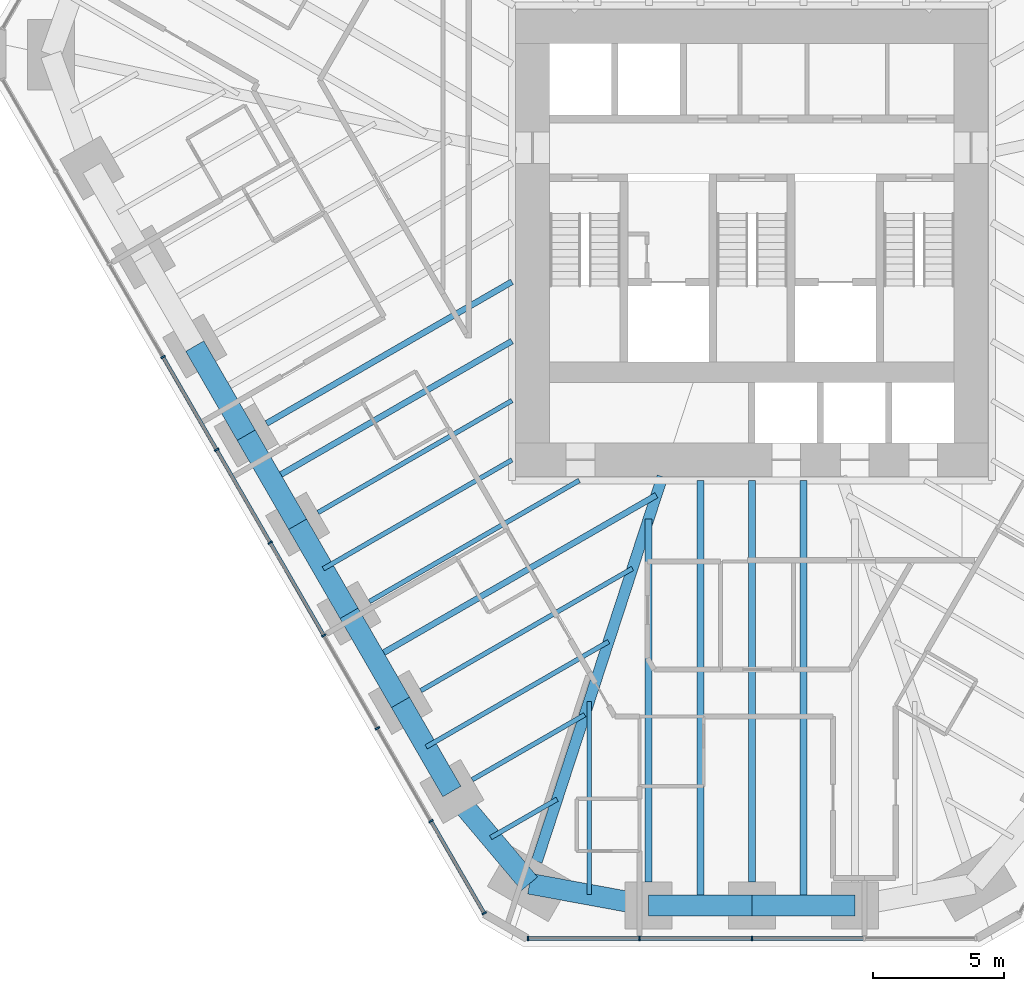
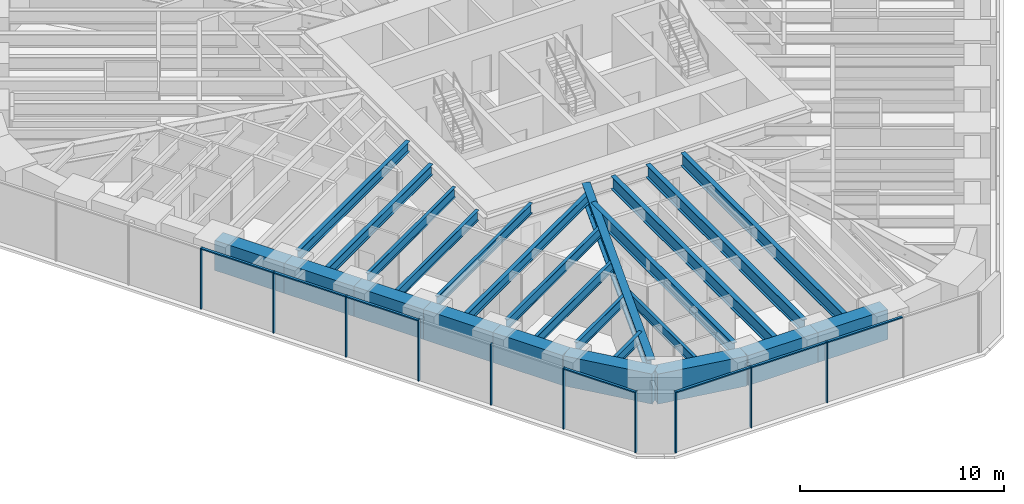
# One storey, part 2 of 16: 25 beams, 17 members, 2 elements without a shape of their own.
"""IFC4 building model written with IfcOpenShell, lengths in metres."""

from ifc_helpers import new_model, si_unit, direction, frame, origin, origin_2d, place, context, subcontext, project, spatial, rectangle, i_section, extrude, material, material_profile, profile_set, type_object, element, aggregate, save


model = new_model("IFC4")

# Units and contexts
model_context = context("Model", 3, precision=1e-05, world=origin(), true_north=direction((0.0, 1.0)))
body_context = subcontext(model_context, "Body", "Model", "MODEL_VIEW")
ifc_project = project(units=[si_unit("LENGTHUNIT", "METRE"), si_unit("AREAUNIT", "SQUARE_METRE"), si_unit("VOLUMEUNIT", "CUBIC_METRE"), si_unit("PLANEANGLEUNIT", "RADIAN"), si_unit("MASSUNIT", "GRAM", prefix="KILO")], contexts=[model_context])

# Site, building, storey
site_placement = place(None, origin())
site = spatial("IfcSite", under=ifc_project, at=site_placement, CompositionType="ELEMENT")
building_placement = place(site_placement, origin())
building = spatial("IfcBuilding", under=site, at=building_placement, Name="Sandreach Pilgrim Tower", CompositionType="ELEMENT")
storey_placement = place(building_placement, frame((0.0, 0.0, 115.800048828125)))
storey = spatial("IfcBuildingStorey", under=building, at=storey_placement, Name="L28", CompositionType="ELEMENT", Elevation=115.800048828125)

# Curtain wall, members
ifc_material_1 = material(Name="Aluminium framed curtain wall", Category="aluminium")
curtain_wall_type = type_object("IfcCurtainWallType", Name="Hotel tower curtain wall", PredefinedType="NOTDEFINED", material=ifc_material_1)
curtain_wall_1_placement = place(storey_placement, origin())
curtain_wall_1 = element("IfcCurtainWall", 1, at=curtain_wall_1_placement, inside=storey, type_object=curtain_wall_type, Name="CW-2 L28 S", PredefinedType="NOTDEFINED")
ifc_material_2 = material(Name="Aluminium extrusion", Category="aluminium")
ifc_material_profile_1 = material_profile(ifc_material_2, rectangle(XDim=0.06494140625, YDim=0.179931640625, at=origin_2d()), Name="CW-2M 65X180")
ifc_profile_set_1 = profile_set([ifc_material_profile_1], Name="Aluminium extrusion")
member_type_1 = type_object("IfcMemberType", Name="CW-2 mullion", PredefinedType="MULLION", material=ifc_profile_set_1)
member_1_placement = place(storey_placement, frame((0.0, -28.192138671875, 0.0), z_axis=(0.0, 0.0, 1.0), x_axis=(-1.0, 0.0, 0.0)))
member_1 = element("IfcMember", 2, at=member_1_placement, type_object=member_type_1, Name="CW-2 mullion 3", PredefinedType="MULLION", context=body_context, shape_type="SweptSolid", body=[
    extrude(rectangle(XDim=0.06494140625, YDim=0.179931640625, at=origin_2d()), origin(), (0.0, 0.0, 1.0), 3.639892578125),
])
member_2_placement = place(storey_placement, frame((-4.3056640625, -28.192138671875, 0.0), z_axis=(0.0, 0.0, 1.0), x_axis=(-1.0, 0.0, 0.0)))
member_2 = element("IfcMember", 3, at=member_2_placement, type_object=member_type_1, Name="CW-2 mullion 4", PredefinedType="MULLION", context=body_context, shape_type="SweptSolid", body=[
    extrude(rectangle(XDim=0.06494140625, YDim=0.179931640625, at=origin_2d()), origin(), (0.0, 0.0, 1.0), 3.639892578125),
])
member_3_placement = place(storey_placement, frame((-8.578857421875, -28.192138671875, 0.0), z_axis=(0.0, 0.0, 1.0), x_axis=(-1.0, 0.0, 0.0)))
member_3 = element("IfcMember", 4, at=member_3_placement, type_object=member_type_1, Name="CW-2 mullion 5", PredefinedType="MULLION", context=body_context, shape_type="SweptSolid", body=[
    extrude(rectangle(XDim=0.06494140625, YDim=0.179931640625, at=origin_2d()), origin(), (0.0, 0.0, 1.0), 3.639892578125),
])

curtain_wall_2_placement = place(storey_placement, origin())
curtain_wall_2 = element("IfcCurtainWall", 5, at=curtain_wall_2_placement, inside=storey, type_object=curtain_wall_type, Name="CW-2 L28 SW", PredefinedType="NOTDEFINED")
member_4_placement = place(storey_placement, frame((-10.255859375, -27.22412109375, 0.0), z_axis=(0.0, 0.0, 1.0), x_axis=(-0.5, 0.866025403784, 0.0)))
member_4 = element("IfcMember", 6, at=member_4_placement, type_object=member_type_1, Name="CW-2 mullion 1", PredefinedType="MULLION", context=body_context, shape_type="SweptSolid", body=[
    extrude(rectangle(XDim=0.06494140625, YDim=0.179931640625, at=origin_2d()), origin(), (0.0, 0.0, 1.0), 3.639892578125),
])
member_5_placement = place(storey_placement, frame((-12.29296875, -23.695556640625, 0.0), z_axis=(0.0, 0.0, 1.0), x_axis=(-0.5, 0.866025403784, 0.0)))
member_5 = element("IfcMember", 7, at=member_5_placement, type_object=member_type_1, Name="CW-2 mullion 2", PredefinedType="MULLION", context=body_context, shape_type="SweptSolid", body=[
    extrude(rectangle(XDim=0.06494140625, YDim=0.179931640625, at=origin_2d()), origin(), (0.0, 0.0, 1.0), 3.639892578125),
])
member_6_placement = place(storey_placement, frame((-14.346435546875, -20.138671875, 0.0), z_axis=(0.0, 0.0, 1.0), x_axis=(-0.5, 0.866025403784, 0.0)))
member_6 = element("IfcMember", 8, at=member_6_placement, type_object=member_type_1, Name="CW-2 mullion 3", PredefinedType="MULLION", context=body_context, shape_type="SweptSolid", body=[
    extrude(rectangle(XDim=0.06494140625, YDim=0.179931640625, at=origin_2d()), origin(), (0.0, 0.0, 1.0), 3.639892578125),
])
member_7_placement = place(storey_placement, frame((-16.39990234375, -16.58203125, 0.0), z_axis=(0.0, 0.0, 1.0), x_axis=(-0.5, 0.866025403784, 0.0)))
member_7 = element("IfcMember", 9, at=member_7_placement, type_object=member_type_1, Name="CW-2 mullion 4", PredefinedType="MULLION", context=body_context, shape_type="SweptSolid", body=[
    extrude(rectangle(XDim=0.06494140625, YDim=0.179931640625, at=origin_2d()), origin(), (0.0, 0.0, 1.0), 3.639892578125),
])
member_8_placement = place(storey_placement, frame((-18.453369140625, -13.025146484375, 0.0), z_axis=(0.0, 0.0, 1.0), x_axis=(-0.5, 0.866025403784, 0.0)))
member_8 = element("IfcMember", 10, at=member_8_placement, type_object=member_type_1, Name="CW-2 mullion 5", PredefinedType="MULLION", context=body_context, shape_type="SweptSolid", body=[
    extrude(rectangle(XDim=0.06494140625, YDim=0.179931640625, at=origin_2d()), origin(), (0.0, 0.0, 1.0), 3.639892578125),
])
member_9_placement = place(storey_placement, frame((-20.5068359375, -9.468505859375, 0.0), z_axis=(0.0, 0.0, 1.0), x_axis=(-0.5, 0.866025403784, 0.0)))
member_9 = element("IfcMember", 11, at=member_9_placement, type_object=member_type_1, Name="CW-2 mullion 6", PredefinedType="MULLION", context=body_context, shape_type="SweptSolid", body=[
    extrude(rectangle(XDim=0.06494140625, YDim=0.179931640625, at=origin_2d()), origin(), (0.0, 0.0, 1.0), 3.639892578125),
])
member_10_placement = place(storey_placement, frame((-22.560302734375, -5.911865234375, 0.0), z_axis=(0.0, 0.0, 1.0), x_axis=(-0.5, 0.866025403784, 0.0)))
member_10 = element("IfcMember", 12, at=member_10_placement, type_object=member_type_1, Name="CW-2 mullion 7", PredefinedType="MULLION", context=body_context, shape_type="SweptSolid", body=[
    extrude(rectangle(XDim=0.06494140625, YDim=0.179931640625, at=origin_2d()), origin(), (0.0, 0.0, 1.0), 3.639892578125),
])

# Member
ifc_material_3 = material(Name="Aluminium extrusion", Category="aluminium")
ifc_material_profile_2 = material_profile(ifc_material_3, rectangle(XDim=0.139892578125, YDim=0.070068359375, at=origin_2d()), Name="CW-2T 140X70")
ifc_profile_set_2 = profile_set([ifc_material_profile_2], Name="Aluminium extrusion")
member_type_2 = type_object("IfcMemberType", Name="CW-2 transom", PredefinedType="USERDEFINED", material=ifc_profile_set_2)
member_11_placement = place(storey_placement, frame((4.273193359375, -28.192138671875, 3.60498046875), z_axis=(-1.0, 0.0, 0.0), x_axis=(0.0, -1.0, 0.0)))
member_11 = element("IfcMember", 13, at=member_11_placement, type_object=member_type_2, Name="CW-2 head transom 2", ObjectType="TRANSOM", PredefinedType="USERDEFINED", context=body_context, shape_type="SweptSolid", body=[
    extrude(rectangle(XDim=0.139892578125, YDim=0.070068359375, at=origin_2d()), origin(), (0.0, 0.0, 1.0), 4.24072265625),
])

member_12_placement = place(storey_placement, frame((-0.032470703125, -28.192138671875, 3.60498046875), z_axis=(-1.0, 0.0, 0.0), x_axis=(0.0, -1.0, 0.0)))
member_12 = element("IfcMember", 14, at=member_12_placement, type_object=member_type_2, Name="CW-2 head transom 3", ObjectType="TRANSOM", PredefinedType="USERDEFINED", context=body_context, shape_type="SweptSolid", body=[
    extrude(rectangle(XDim=0.139892578125, YDim=0.070068359375, at=origin_2d()), origin(), (0.0, 0.0, 1.0), 4.24072265625),
])

member_13_placement = place(storey_placement, frame((-4.338134765625, -28.192138671875, 3.60498046875), z_axis=(-1.0, 0.0, 0.0), x_axis=(0.0, -1.0, 0.0)))
member_13 = element("IfcMember", 15, at=member_13_placement, type_object=member_type_2, Name="CW-2 head transom 4", ObjectType="TRANSOM", PredefinedType="USERDEFINED", context=body_context, shape_type="SweptSolid", body=[
    extrude(rectangle(XDim=0.139892578125, YDim=0.070068359375, at=origin_2d()), origin(), (0.0, 0.0, 1.0), 4.208251953125),
])

aggregate(curtain_wall_1, [member_1, member_2, member_3, member_11, member_12, member_13])

member_14_placement = place(storey_placement, frame((-10.27197265625, -27.196044921875, 3.60498046875), z_axis=(-0.500015851672, 0.866016251624, 0.0), x_axis=(-0.866016251624, -0.500015851672, 0.0)))
member_14 = element("IfcMember", 16, at=member_14_placement, type_object=member_type_2, Name="CW-2 head transom 1", ObjectType="TRANSOM", PredefinedType="USERDEFINED", context=body_context, shape_type="SweptSolid", body=[
    extrude(rectangle(XDim=0.139892578125, YDim=0.070068359375, at=origin_2d()), origin(), (0.0, 0.0, 1.0), 4.009521484375),
])

member_15_placement = place(storey_placement, frame((-16.416259765625, -16.553955078125, 3.60498046875), z_axis=(-0.499997818338, 0.866026663364, 0.0), x_axis=(-0.866026663364, -0.499997818338, 0.0)))
member_15 = element("IfcMember", 17, at=member_15_placement, type_object=member_type_2, Name="CW-2 head transom 4", ObjectType="TRANSOM", PredefinedType="USERDEFINED", context=body_context, shape_type="SweptSolid", body=[
    extrude(rectangle(XDim=0.139892578125, YDim=0.070068359375, at=origin_2d()), origin(), (0.0, 0.0, 1.0), 4.0419921875),
])

member_16_placement = place(storey_placement, frame((-18.4697265625, -12.9970703125, 3.60498046875), z_axis=(-0.499997818338, 0.866026663364, 0.0), x_axis=(-0.866026663364, -0.499997818338, 0.0)))
member_16 = element("IfcMember", 18, at=member_16_placement, type_object=member_type_2, Name="CW-2 head transom 5", ObjectType="TRANSOM", PredefinedType="USERDEFINED", context=body_context, shape_type="SweptSolid", body=[
    extrude(rectangle(XDim=0.139892578125, YDim=0.070068359375, at=origin_2d()), origin(), (0.0, 0.0, 1.0), 4.0419921875),
])

member_17_placement = place(storey_placement, frame((-20.523193359375, -9.4404296875, 3.60498046875), z_axis=(-0.499997818338, 0.866026663364, 0.0), x_axis=(-0.866026663364, -0.499997818338, 0.0)))
member_17 = element("IfcMember", 19, at=member_17_placement, type_object=member_type_2, Name="CW-2 head transom 6", ObjectType="TRANSOM", PredefinedType="USERDEFINED", context=body_context, shape_type="SweptSolid", body=[
    extrude(rectangle(XDim=0.139892578125, YDim=0.070068359375, at=origin_2d()), origin(), (0.0, 0.0, 1.0), 4.0419921875),
])

aggregate(curtain_wall_2, [member_4, member_5, member_6, member_7, member_8, member_9, member_10, member_14, member_15, member_16, member_17])

# Beams
ifc_material_4 = material(Name="Steel ASTM A992 Grade 50", Category="steel")
ifc_material_profile_3 = material_profile(ifc_material_4, i_section(OverallWidth=0.421630859375, OverallDepth=0.937255859375, WebThickness=0.0224609375, FlangeThickness=0.039794921875, at=origin_2d()), Name="W36X282")
ifc_profile_set_3 = profile_set([ifc_material_profile_3], Name="Steel ASTM A992 Grade 50")
beam_type_1 = type_object("IfcBeamType", Name="Corner girder W36X282", PredefinedType="BEAM", material=ifc_profile_set_3)
beam_1_placement = place(storey_placement, frame((-8.238525390625, -25.23876953125, 3.17138671875), z_axis=(0.310307109519, 0.950636364643, 0.0), x_axis=(-0.950636364643, 0.310307109519, 0.0)))
element("IfcBeam", 20, at=beam_1_placement, inside=storey, type_object=beam_type_1, Name="BM L28 CG26", PredefinedType="BEAM", context=body_context, shape_type="SweptSolid", body=[
    extrude(i_section(OverallWidth=0.421630859375, OverallDepth=0.937255859375, WebThickness=0.0224609375, FlangeThickness=0.039794921875, at=origin_2d()), origin(), (0.0, 0.0, 1.0), 15.504150390625),
])
ifc_material_5 = material(Name="Steel ASTM A992 Grade 50", Category="steel")
ifc_material_profile_4 = material_profile(ifc_material_5, i_section(OverallWidth=0.1787109375, OverallDepth=0.60205078125, WebThickness=0.010986328125, FlangeThickness=0.014892578125, at=origin_2d()), Name="W24X62")
ifc_profile_set_4 = profile_set([ifc_material_profile_4], Name="Steel ASTM A992 Grade 50")
beam_type_2 = type_object("IfcBeamType", Name="Floor beam W24X62", PredefinedType="BEAM", material=ifc_profile_set_4)
beam_2_placement = place(storey_placement, frame((-10.714599609375, -22.109130859375, 3.3388671875), z_axis=(0.866024645457, 0.500001313459, 0.0), x_axis=(-0.500001313459, 0.866024645457, 0.0)))
element("IfcBeam", 21, at=beam_2_placement, inside=storey, type_object=beam_type_2, Name="BM L28 F27", PredefinedType="BEAM", context=body_context, shape_type="SweptSolid", body=[
    extrude(i_section(OverallWidth=0.1787109375, OverallDepth=0.60205078125, WebThickness=0.010986328125, FlangeThickness=0.014892578125, at=origin_2d()), origin(), (0.0, 0.0, 1.0), 4.9765625),
])
beam_3_placement = place(storey_placement, frame((-12.6845703125, -18.697265625, 3.3388671875), z_axis=(0.866012351917, 0.500022605817, 0.0), x_axis=(-0.500022605817, 0.866012351917, 0.0)))
element("IfcBeam", 22, at=beam_3_placement, inside=storey, type_object=beam_type_2, Name="BM L28 F28", PredefinedType="BEAM", context=body_context, shape_type="SweptSolid", body=[
    extrude(i_section(OverallWidth=0.1787109375, OverallDepth=0.60205078125, WebThickness=0.010986328125, FlangeThickness=0.014892578125, at=origin_2d()), origin(), (0.0, 0.0, 1.0), 9.3642578125),
])
beam_4_placement = place(storey_placement, frame((-14.654541015625, -15.28515625, 3.3388671875), z_axis=(0.866015659929, 0.500016876472, 0.0), x_axis=(-0.500016876472, 0.866015659929, 0.0)))
element("IfcBeam", 23, at=beam_4_placement, inside=storey, type_object=beam_type_2, Name="BM L28 F29", PredefinedType="BEAM", context=body_context, shape_type="SweptSolid", body=[
    extrude(i_section(OverallWidth=0.1787109375, OverallDepth=0.60205078125, WebThickness=0.010986328125, FlangeThickness=0.014892578125, at=origin_2d()), origin(), (0.0, 0.0, 1.0), 9.283447265625),
])
beam_5_placement = place(storey_placement, frame((-16.62451171875, -11.873046875, 3.3388671875), z_axis=(0.866017857595, 0.500013070155, 0.0), x_axis=(-0.500013070155, 0.866017857595, 0.0)))
element("IfcBeam", 24, at=beam_5_placement, inside=storey, type_object=beam_type_2, Name="BM L28 F30", PredefinedType="BEAM", context=body_context, shape_type="SweptSolid", body=[
    extrude(i_section(OverallWidth=0.1787109375, OverallDepth=0.60205078125, WebThickness=0.010986328125, FlangeThickness=0.014892578125, at=origin_2d()), origin(), (0.0, 0.0, 1.0), 8.580810546875),
])
beam_6_placement = place(storey_placement, frame((-6.236572265625, -26.51318359375, 3.3388671875), z_axis=(0.0, 1.0, 0.0), x_axis=(-1.0, 0.0, 0.0)))
element("IfcBeam", 25, at=beam_6_placement, inside=storey, type_object=beam_type_2, Name="BM L28 FM25", PredefinedType="BEAM", context=body_context, shape_type="SweptSolid", body=[
    extrude(i_section(OverallWidth=0.1787109375, OverallDepth=0.60205078125, WebThickness=0.010986328125, FlangeThickness=0.014892578125, at=origin_2d()), origin(), (0.0, 0.0, 1.0), 7.40771484375),
])
beam_7_placement = place(storey_placement, frame((-10.006103515625, -24.326904296875, 3.3388671875), z_axis=(0.866015396618, 0.500017332519, 0.0), x_axis=(-0.500017332519, 0.866015396618, 0.0)))
element("IfcBeam", 26, at=beam_7_placement, inside=storey, type_object=beam_type_2, Name="BM L28 FM26", PredefinedType="BEAM", context=body_context, shape_type="SweptSolid", body=[
    extrude(i_section(OverallWidth=0.1787109375, OverallDepth=0.60205078125, WebThickness=0.010986328125, FlangeThickness=0.014892578125, at=origin_2d()), origin(), (0.0, 0.0, 1.0), 2.9384765625),
])
beam_8_placement = place(storey_placement, frame((-12.47900390625, -20.853271484375, 3.3388671875), z_axis=(0.866017328257, 0.500013986963, 0.0), x_axis=(-0.500013986963, 0.866017328257, 0.0)))
element("IfcBeam", 27, at=beam_8_placement, inside=storey, type_object=beam_type_2, Name="BM L28 FM27", PredefinedType="BEAM", context=body_context, shape_type="SweptSolid", body=[
    extrude(i_section(OverallWidth=0.1787109375, OverallDepth=0.60205078125, WebThickness=0.010986328125, FlangeThickness=0.014892578125, at=origin_2d()), origin(), (0.0, 0.0, 1.0), 8.070556640625),
])
beam_9_placement = place(storey_placement, frame((-16.4189453125, -14.029052734375, 3.3388671875), z_axis=(0.866016009309, 0.500016271356, 0.0), x_axis=(-0.500016271356, 0.866016009309, 0.0)))
element("IfcBeam", 28, at=beam_9_placement, inside=storey, type_object=beam_type_2, Name="BM L28 FM29", PredefinedType="BEAM", context=body_context, shape_type="SweptSolid", body=[
    extrude(i_section(OverallWidth=0.1787109375, OverallDepth=0.60205078125, WebThickness=0.010986328125, FlangeThickness=0.014892578125, at=origin_2d()), origin(), (0.0, 0.0, 1.0), 8.343505859375),
])
ifc_material_6 = material(Name="Steel ASTM A992 Grade 50", Category="steel")
ifc_material_profile_5 = material_profile(ifc_material_6, i_section(OverallWidth=0.23046875, OverallDepth=0.6171875, WebThickness=0.01318359375, FlangeThickness=0.022216796875, at=origin_2d()), Name="W24X94")
ifc_profile_set_5 = profile_set([ifc_material_profile_5], Name="Steel ASTM A992 Grade 50")
beam_type_3 = type_object("IfcBeamType", Name="Floor beam W24X94", PredefinedType="BEAM", material=ifc_profile_set_5)
beam_10_placement = place(storey_placement, frame((-18.594482421875, -8.4609375, 3.331298828125), z_axis=(0.866015926388, 0.500016414973, 0.0), x_axis=(-0.500016414973, 0.866015926388, 0.0)))
element("IfcBeam", 29, at=beam_10_placement, inside=storey, type_object=beam_type_3, Name="BM L28 F31", PredefinedType="BEAM", context=body_context, shape_type="SweptSolid", body=[
    extrude(i_section(OverallWidth=0.23046875, OverallDepth=0.6171875, WebThickness=0.01318359375, FlangeThickness=0.022216796875, at=origin_2d()), origin(), (0.0, 0.0, 1.0), 10.855712890625),
])
beam_11_placement = place(storey_placement, frame((-14.448974609375, -17.441162109375, 3.331298828125), z_axis=(0.866019150617, 0.500010830648, 0.0), x_axis=(-0.500010830648, 0.866019150617, 0.0)))
element("IfcBeam", 30, at=beam_11_placement, inside=storey, type_object=beam_type_3, Name="BM L28 FM28", PredefinedType="BEAM", context=body_context, shape_type="SweptSolid", body=[
    extrude(i_section(OverallWidth=0.23046875, OverallDepth=0.6171875, WebThickness=0.01318359375, FlangeThickness=0.022216796875, at=origin_2d()), origin(), (0.0, 0.0, 1.0), 12.458251953125),
])
beam_12_placement = place(storey_placement, frame((-18.388916015625, -10.616943359375, 3.331298828125), z_axis=(0.866024387147, 0.500001760863, 0.0), x_axis=(-0.500001760863, 0.866024387147, 0.0)))
element("IfcBeam", 31, at=beam_12_placement, inside=storey, type_object=beam_type_3, Name="BM L28 FM30", PredefinedType="BEAM", context=body_context, shape_type="SweptSolid", body=[
    extrude(i_section(OverallWidth=0.23046875, OverallDepth=0.6171875, WebThickness=0.01318359375, FlangeThickness=0.022216796875, at=origin_2d()), origin(), (0.0, 0.0, 1.0), 10.6181640625),
])
ifc_material_7 = material(Name="Steel ASTM A992 Grade 50", Category="steel")
ifc_material_profile_6 = material_profile(ifc_material_7, i_section(OverallWidth=0.2666015625, OverallDepth=0.761962890625, WebThickness=0.014404296875, FlangeThickness=0.021484375, at=origin_2d()), Name="W30X116")
ifc_profile_set_6 = profile_set([ifc_material_profile_6], Name="Steel ASTM A992 Grade 50")
beam_type_4 = type_object("IfcBeamType", Name="Floor beam W30X116", PredefinedType="BEAM", material=ifc_profile_set_6)
beam_13_placement = place(storey_placement, frame((-3.955322265625, -26.0322265625, 3.259033203125), z_axis=(0.0, 1.0, 0.0), x_axis=(-1.0, 0.0, 0.0)))
element("IfcBeam", 32, at=beam_13_placement, inside=storey, type_object=beam_type_4, Name="BM L28 F25", PredefinedType="BEAM", context=body_context, shape_type="SweptSolid", body=[
    extrude(i_section(OverallWidth=0.2666015625, OverallDepth=0.761962890625, WebThickness=0.014404296875, FlangeThickness=0.021484375, at=origin_2d()), origin(), (0.0, 0.0, 1.0), 13.91552734375),
])
ifc_material_8 = material(Name="Steel ASTM A992 Grade 50", Category="steel")
ifc_material_profile_7 = material_profile(ifc_material_8, i_section(OverallWidth=0.2666015625, OverallDepth=0.77978515625, WebThickness=0.0166015625, FlangeThickness=0.030029296875, at=origin_2d()), Name="W30X148")
ifc_profile_set_7 = profile_set([ifc_material_profile_7], Name="Steel ASTM A992 Grade 50")
beam_type_5 = type_object("IfcBeamType", Name="Floor beam W30X148", PredefinedType="BEAM", material=ifc_profile_set_7)
beam_14_placement = place(storey_placement, frame((0.0, -26.0322265625, 3.25), z_axis=(0.0, 1.0, 0.0), x_axis=(-1.0, 0.0, 0.0)))
element("IfcBeam", 33, at=beam_14_placement, inside=storey, type_object=beam_type_5, Name="BM L28 F24", PredefinedType="BEAM", context=body_context, shape_type="SweptSolid", body=[
    extrude(i_section(OverallWidth=0.2666015625, OverallDepth=0.77978515625, WebThickness=0.0166015625, FlangeThickness=0.030029296875, at=origin_2d()), origin(), (0.0, 0.0, 1.0), 15.388916015625),
])
for number, where, z_axis, x_axis, name in (
    (34, (1.9775390625, -26.93212890625, 3.25), (0.0, 1.0, 0.0), (-1.0, 0.0, 0.0), "BM L28 FM23"),
    (35, (-1.9775390625, -26.93212890625, 3.25), (0.0, 1.0, 0.0), (-1.0, 0.0, 0.0), "BM L28 FM24"),
):
    element("IfcBeam", number, at=place(storey_placement, frame(where, z_axis=z_axis, x_axis=x_axis)), inside=storey, type_object=beam_type_5, Name=name, PredefinedType="BEAM", context=body_context, shape_type="SweptSolid", body=[
        extrude(i_section(OverallWidth=0.2666015625, OverallDepth=0.77978515625, WebThickness=0.0166015625, FlangeThickness=0.030029296875, at=origin_2d()), origin(), (0.0, 0.0, 1.0), 16.288818359375),
    ])
ifc_material_9 = material(Name="Concrete 10000 psi", Category="concrete")
ifc_material_profile_8 = material_profile(ifc_material_9, rectangle(XDim=0.800048828125, YDim=1.800048828125, at=origin_2d()), Name="RC800X1800")
ifc_profile_set_8 = profile_set([ifc_material_profile_8], Name="Concrete 10000 psi")
beam_type_6 = type_object("IfcBeamType", Name="Spandrel beam RC800X1800", PredefinedType="SPANDREL", material=ifc_profile_set_8)
for number, where, z_axis, x_axis, name in (
    (36, (3.955322265625, -26.93212890625, 2.739990234375), (-1.0, 0.0, 0.0), (0.0, -1.0, 0.0), "BM L28 SP23"),
    (37, (0.0, -26.93212890625, 2.739990234375), (-1.0, 0.0, 0.0), (0.0, -1.0, 0.0), "BM L28 SP24"),
):
    element("IfcBeam", number, at=place(storey_placement, frame(where, z_axis=z_axis, x_axis=x_axis)), inside=storey, type_object=beam_type_6, Name=name, PredefinedType="SPANDREL", context=body_context, shape_type="SweptSolid", body=[
        extrude(rectangle(XDim=0.800048828125, YDim=1.800048828125, at=origin_2d()), origin(), (0.0, 0.0, 1.0), 3.955322265625),
    ])
beam_15_placement = place(storey_placement, frame((-3.955322265625, -26.93212890625, 2.739990234375), z_axis=(-0.983551746136, 0.180626583516, 0.0), x_axis=(-0.180626583516, -0.983551746136, 0.0)))
element("IfcBeam", 38, at=beam_15_placement, inside=storey, type_object=beam_type_6, Name="BM L28 SP25", PredefinedType="SPANDREL", context=body_context, shape_type="SweptSolid", body=[
    extrude(rectangle(XDim=0.800048828125, YDim=1.800048828125, at=origin_2d()), origin(), (0.0, 0.0, 1.0), 4.638916015625),
])
beam_16_placement = place(storey_placement, frame((-8.517822265625, -26.09423828125, 2.739990234375), z_axis=(-0.644078801547, 0.764959147535, 0.0), x_axis=(-0.764959147535, -0.644078801547, 0.0)))
element("IfcBeam", 39, at=beam_16_placement, inside=storey, type_object=beam_type_6, Name="BM L28 SP26", PredefinedType="SPANDREL", context=body_context, shape_type="SweptSolid", body=[
    extrude(rectangle(XDim=0.800048828125, YDim=1.800048828125, at=origin_2d()), origin(), (0.0, 0.0, 1.0), 4.62109375),
])
for number, where, z_axis, x_axis, name in (
    (40, (-11.494140625, -22.559326171875, 2.739990234375), (-0.49999779889, 0.866026674592, 0.0), (-0.866026674592, -0.49999779889, 0.0), "BM L28 SP27"),
    (41, (-13.464111328125, -19.147216796875, 2.739990234375), (-0.49999779889, 0.866026674592, 0.0), (-0.866026674592, -0.49999779889, 0.0), "BM L28 SP28"),
    (42, (-15.43408203125, -15.735107421875, 2.739990234375), (-0.49999779889, 0.866026674592, 0.0), (-0.866026674592, -0.49999779889, 0.0), "BM L28 SP29"),
    (43, (-17.404052734375, -12.322998046875, 2.739990234375), (-0.49999779889, 0.866026674592, 0.0), (-0.866026674592, -0.49999779889, 0.0), "BM L28 SP30"),
    (44, (-19.3740234375, -8.910888671875, 2.739990234375), (-0.49999779889, 0.866026674592, 0.0), (-0.866026674592, -0.49999779889, 0.0), "BM L28 SP31"),
):
    element("IfcBeam", number, at=place(storey_placement, frame(where, z_axis=z_axis, x_axis=x_axis)), inside=storey, type_object=beam_type_6, Name=name, PredefinedType="SPANDREL", context=body_context, shape_type="SweptSolid", body=[
        extrude(rectangle(XDim=0.800048828125, YDim=1.800048828125, at=origin_2d()), origin(), (0.0, 0.0, 1.0), 3.93994140625),
    ])

save(model, "model.ifc")
